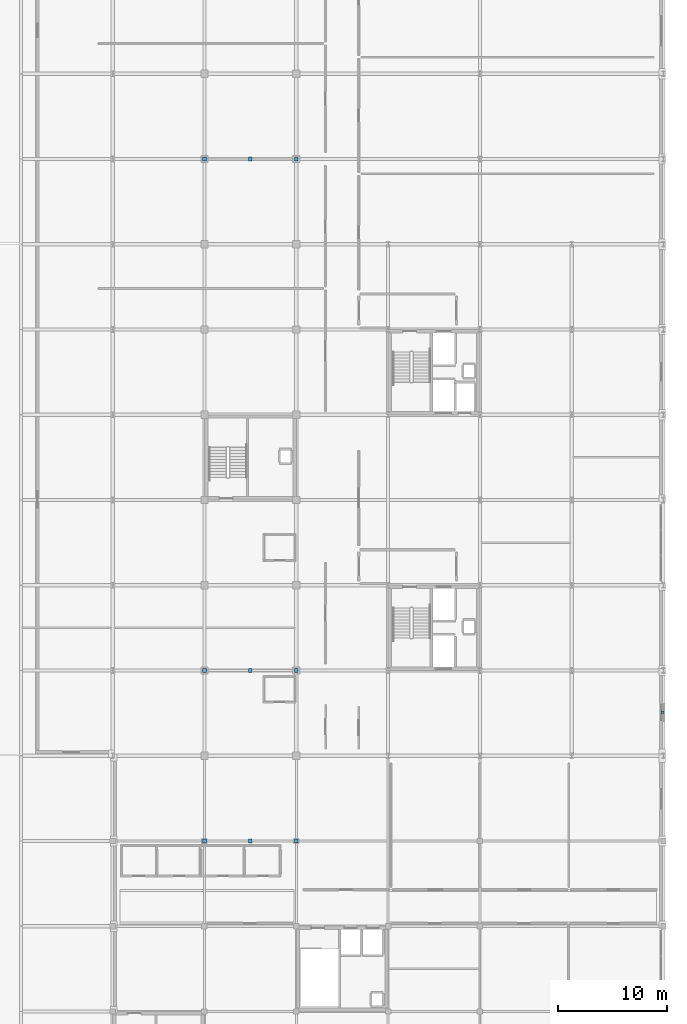
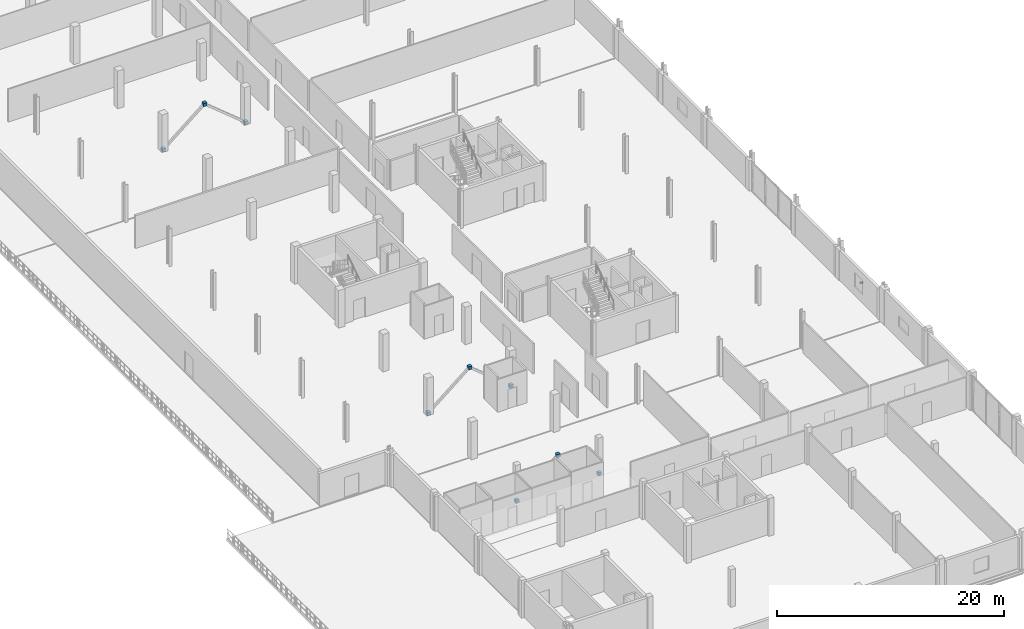
# One storey, part 33 of 41: 10 discrete accessories.
"""IFC4 building model written with IfcOpenShell, lengths in metres."""

from ifc_helpers import new_model, si_unit, direction, frame, origin, origin_2d, place, context, subcontext, project, spatial, rectangle, extrude, material, layer, layer_set, type_object, element, save


model = new_model("IFC4")

# Units and contexts
model_context = context("Model", 3, precision=1e-05, world=origin(), true_north=direction((0.0, 1.0)))
body_context = subcontext(model_context, "Body", "Model", "MODEL_VIEW")
ifc_project = project(units=[si_unit("LENGTHUNIT", "METRE"), si_unit("AREAUNIT", "SQUARE_METRE"), si_unit("VOLUMEUNIT", "CUBIC_METRE"), si_unit("PLANEANGLEUNIT", "RADIAN"), si_unit("MASSUNIT", "GRAM", prefix="KILO")], contexts=[model_context])

# Site, building, storey
site_placement = place(None, origin())
site = spatial("IfcSite", under=ifc_project, at=site_placement, CompositionType="ELEMENT")
building_placement = place(site_placement, origin())
building = spatial("IfcBuilding", under=site, at=building_placement, Name="Nabrawat Pavilion Hospital", CompositionType="ELEMENT")
storey_placement = place(building_placement, frame((0.0, 0.0, 18.89990234375)))
storey = spatial("IfcBuildingStorey", under=building, at=storey_placement, Name="L04", CompositionType="ELEMENT", Elevation=18.89990234375)

# Discrete accessories
ifc_material = material(Name="Steel S355", Category="steel")
ifc_layer_1 = layer(ifc_material, 0.02001953125, Name="Steel S355")
ifc_layer_set_1 = layer_set([ifc_layer_1], Name="Steel S355")
discrete_accessory_type_1 = type_object("IfcDiscreteAccessoryType", Name="Brace and Strut Gusset End Bracket 20", PredefinedType="BRACKET", material=ifc_layer_set_1)
for number, where, z_axis, x_axis, name in (
    (1, (155.39990234375, 31.199951171875, 3.330078125), (0.0, 0.0, 1.0), (1.0, 0.0, 0.0), "L04 Brace and Strut Gusset End Connection 0063"),
    (2, (151.199951171875, 31.199951171875, -0.1201171875), (0.0, 0.0, 1.0), (1.0, 0.0, 0.0), "L04 Brace and Strut Gusset End Connection 0064"),
    (3, (159.60009765625, 31.199951171875, -0.1201171875), (0.0, 0.0, 1.0), (1.0, 0.0, 0.0), "L04 Brace and Strut Gusset End Connection 0065"),
    (4, (155.39990234375, 46.800048828125, 3.330078125), (0.0, 0.0, 1.0), (1.0, 0.0, 0.0), "L04 Brace and Strut Gusset End Connection 0081"),
    (5, (151.199951171875, 46.800048828125, -0.1201171875), (0.0, 0.0, 1.0), (1.0, 0.0, 0.0), "L04 Brace and Strut Gusset End Connection 0082"),
    (6, (159.60009765625, 46.800048828125, -0.1201171875), (0.0, 0.0, 1.0), (1.0, 0.0, 0.0), "L04 Brace and Strut Gusset End Connection 0083"),
    (7, (155.39990234375, 93.60009765625, 3.330078125), (0.0, 0.0, 1.0), (1.0, 0.0, 0.0), "L04 Brace and Strut Gusset End Connection 0108"),
    (8, (151.199951171875, 93.60009765625, -0.1201171875), (0.0, 0.0, 1.0), (1.0, 0.0, 0.0), "L04 Brace and Strut Gusset End Connection 0109"),
    (9, (159.60009765625, 93.60009765625, -0.1201171875), (0.0, 0.0, 1.0), (1.0, 0.0, 0.0), "L04 Brace and Strut Gusset End Connection 0110"),
):
    element("IfcDiscreteAccessory", number, at=place(storey_placement, frame(where, z_axis=z_axis, x_axis=x_axis)), inside=storey, type_object=discrete_accessory_type_1, Name=name, PredefinedType="BRACKET", context=body_context, shape_type="SweptSolid", body=[
        extrude(rectangle(XDim=0.340087890625, YDim=0.340087890625, at=origin_2d()), origin(), (0.0, 0.0, 1.0), 0.340087890625),
    ])
ifc_layer_2 = layer(ifc_material, 0.159912109375, Name="Steel S355")
ifc_layer_set_2 = layer_set([ifc_layer_2], Name="Steel S355")
discrete_accessory_type_2 = type_object("IfcDiscreteAccessoryType", Name="Facade Shading Support Steel Bracket", PredefinedType="BRACKET", material=ifc_layer_set_2)
discrete_accessory_placement = place(storey_placement, frame((193.125, 42.969970703125, 1.64501953125), z_axis=(0.0, 0.0, 1.0), x_axis=(0.0, 1.0, 0.0)))
element("IfcDiscreteAccessory", 10, at=discrete_accessory_placement, inside=storey, type_object=discrete_accessory_type_2, Name="L04 Facade Shading Bracket 018", PredefinedType="BRACKET", context=body_context, shape_type="SweptSolid", body=[
    extrude(rectangle(XDim=0.239990234375, YDim=0.280029296875, at=origin_2d()), origin(), (0.0, 0.0, 1.0), 0.159912109375),
])

save(model, "model.ifc")
